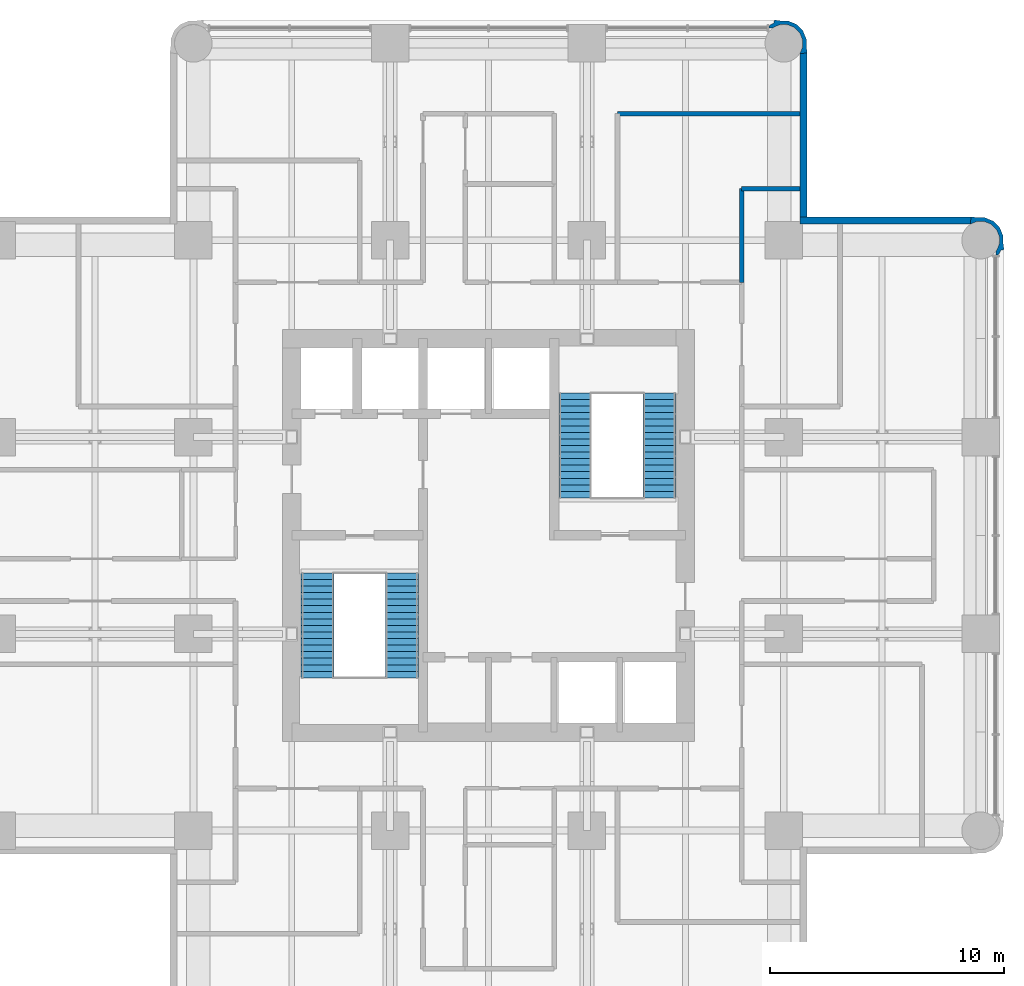
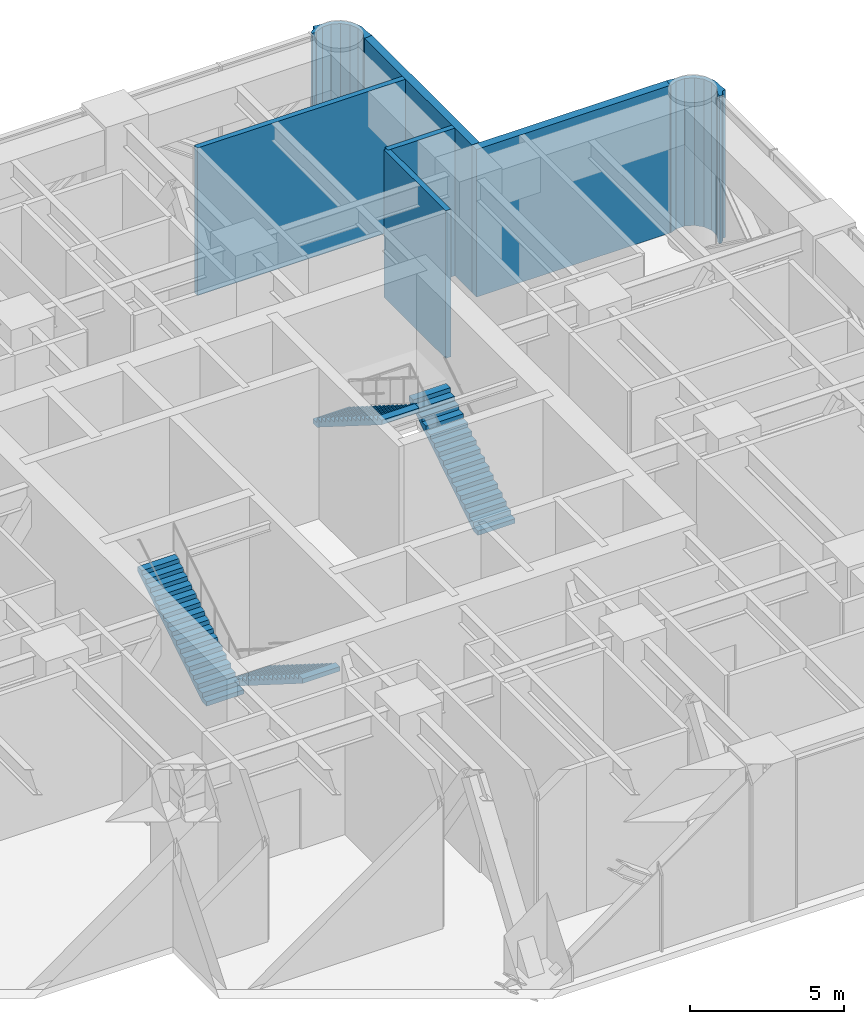
# One storey, part 10 of 12: 7 walls, 4 stair flights, 2 elements without a shape of their own.
"""IFC4 building model written with IfcOpenShell, lengths in metres."""

from ifc_helpers import new_model, si_unit, direction, frame, frame_2d, origin, place, context, subcontext, project, spatial, polyline, rectangle, outline, extrude, material, layer, layer_set, type_object, element, aggregate, save


model = new_model("IFC4")

# Units and contexts
model_context = context("Model", 3, precision=1e-05, world=origin(), true_north=direction((0.0, 1.0)))
body_context = subcontext(model_context, "Body", "Model", "MODEL_VIEW")
ifc_project = project(units=[si_unit("LENGTHUNIT", "METRE"), si_unit("AREAUNIT", "SQUARE_METRE"), si_unit("VOLUMEUNIT", "CUBIC_METRE"), si_unit("PLANEANGLEUNIT", "RADIAN"), si_unit("MASSUNIT", "GRAM", prefix="KILO")], contexts=[model_context])

# Site, building, storey
site_placement = place(None, origin())
site = spatial("IfcSite", under=ifc_project, at=site_placement, CompositionType="ELEMENT")
building_placement = place(site_placement, origin())
building = spatial("IfcBuilding", under=site, at=building_placement, Name="Torre Alcanfor", CompositionType="ELEMENT")
storey_placement = place(building_placement, frame((0.0, 0.0, 248.10009765625)))
storey = spatial("IfcBuildingStorey", under=building, at=storey_placement, Name="L65", CompositionType="ELEMENT", Elevation=248.10009765625)

# Walls
ifc_material_1 = material(Name="Limestone cladding", Category="masonry")
ifc_layer_1 = layer(ifc_material_1, 0.0400390625, Name="Facing")
ifc_material_2 = material(Name="Ventilated air cavity")
ifc_layer_2 = layer(ifc_material_2, 0.02001953125, ventilated=True, Name="Ventilated joint")
ifc_material_3 = material(Name="Mineral wool insulation", Category="insulation")
ifc_layer_3 = layer(ifc_material_3, 0.10009765625, Name="Insulation")
ifc_material_4 = material(Name="Concrete f'c 35 MPa", Category="concrete")
ifc_layer_4 = layer(ifc_material_4, 0.139892578125, Name="Backing")
ifc_layer_set_1 = layer_set([ifc_layer_1, ifc_layer_2, ifc_layer_3, ifc_layer_4], Name="External wall stone-clad 300")
wall_type_1 = type_object("IfcWallType", Name="External wall stone-clad 300", PredefinedType="SOLIDWALL", material=ifc_layer_set_1)
wall_1_placement = place(storey_placement, frame((50.0, 42.85009765625, 0.0), z_axis=(0.0, 0.0, 1.0), x_axis=(-1.0, 0.0, 0.0)))
element("IfcWall", 1, at=wall_1_placement, inside=storey, type_object=wall_type_1, Name="External wall L65 9", PredefinedType="SOLIDWALL", context=body_context, shape_type="SweptSolid", body=[
    extrude(rectangle(XDim=7.300048828125, YDim=0.300048828125, at=frame_2d((3.64990234375, 0.0))), origin(), (0.0, 0.0, 1.0), 5.849853515625),
])
wall_2_placement = place(storey_placement, frame((42.85009765625, 43.0, 0.0), z_axis=(0.0, 0.0, 1.0), x_axis=(0.0, 1.0, 0.0)))
element("IfcWall", 2, at=wall_2_placement, inside=storey, type_object=wall_type_1, Name="External wall L65 10", PredefinedType="SOLIDWALL", context=body_context, shape_type="SweptSolid", body=[
    extrude(rectangle(XDim=7.0, YDim=0.300048828125, at=frame_2d((3.5, 0.0))), origin(), (0.0, 0.0, 1.0), 5.849853515625),
])
ifc_material_5 = material(Name="Concrete block masonry, hollow blocks NMX-C-404 9 MPa", Category="masonry")
ifc_layer_5 = layer(ifc_material_5, 0.199951171875)
ifc_layer_set_2 = layer_set([ifc_layer_5], Name="Plant room wall 200 EI 60")
wall_type_2 = type_object("IfcWallType", Name="Plant room wall 200 EI 60", PredefinedType="PARTITIONING", material=ifc_layer_set_2)
wall_3_placement = place(storey_placement, frame((34.89990234375, 47.39990234375, 0.0), z_axis=(0.0, 0.0, 1.0), x_axis=(1.0, 0.0, 0.0)))
element("IfcWall", 3, at=wall_3_placement, inside=storey, type_object=wall_type_2, Name="Partition L65-N2 / L65-NH", PredefinedType="PARTITIONING", context=body_context, shape_type="SweptSolid", body=[
    extrude(rectangle(XDim=7.800048828125, YDim=0.199951171875, at=frame_2d((3.89990234375, 0.0))), origin(), (0.0, 0.0, 1.0), 5.849853515625),
])
wall_4_placement = place(storey_placement, frame((42.699951171875, 44.199951171875, 0.0), z_axis=(0.0, 0.0, 1.0), x_axis=(-1.0, 0.0, 0.0)))
element("IfcWall", 4, at=wall_4_placement, inside=storey, type_object=wall_type_2, Name="Partition L65-N2 / L65-E2", PredefinedType="PARTITIONING", context=body_context, shape_type="SweptSolid", body=[
    extrude(rectangle(XDim=2.5, YDim=0.199951171875, at=frame_2d((1.25, 0.0))), origin(), (0.0, 0.0, 1.0), 5.849853515625),
])
wall_5_placement = place(storey_placement, frame((40.199951171875, 44.199951171875, 0.0), z_axis=(0.0, 0.0, 1.0), x_axis=(0.0, -1.0, 0.0)))
element("IfcWall", 5, at=wall_5_placement, inside=storey, type_object=wall_type_2, Name="Partition L65-N2 / L65-E2", PredefinedType="PARTITIONING", context=body_context, shape_type="SweptSolid", body=[
    extrude(rectangle(XDim=4.0, YDim=0.199951171875, at=frame_2d((2.0, 0.0))), origin(), (0.0, 0.0, 1.0), 5.849853515625),
])
ifc_layer_6 = layer(ifc_material_1, 0.0400390625, Name="Facing")
ifc_layer_7 = layer(ifc_material_2, 0.02001953125, ventilated=True, Name="Ventilated joint")
ifc_layer_8 = layer(ifc_material_3, 0.10009765625, Name="Insulation")
ifc_layer_9 = layer(ifc_material_4, 0.139892578125, Name="Backing")
ifc_layer_set_3 = layer_set([ifc_layer_6, ifc_layer_7, ifc_layer_8, ifc_layer_9], Name="Rounded corner pier stone-clad 300")
wall_type_3 = type_object("IfcWallType", Name="Rounded corner pier stone-clad 300", PredefinedType="SOLIDWALL", material=ifc_layer_set_3)
wall_6_placement = place(storey_placement, frame((51.064595899, 41.423187819, 0.0), z_axis=(0.0, 0.0, 1.0), x_axis=(0.936905536785, 0.34958262992, 0.0)))
element("IfcWall", 6, at=wall_6_placement, inside=storey, type_object=wall_type_3, Name="Corner pier L65 18", PredefinedType="SOLIDWALL", context=body_context, shape_type="SweptSolid", body=[
    extrude(outline(polyline([(0.44488305639654047, 0.34699056961892705), (0.5452515067836634, 0.6159849327193055), (0.5315651014369507, 0.9976325147447593), (0.3729764454328175, 1.3450094464770523), (0.09357495487315731, 1.6053496117036845), (-0.17564814493053782, 1.7058034094125651), (-0.44619964308817617, 1.8494882970231459), (-0.5881468474657572, 1.582197154771742), (-0.5696191744971089, 1.5752840217093635), (-0.5583222971769474, 1.5692448040547435), (-0.2902233208505333, 1.5789154245669286), (0.008278076977692839, 1.4675371696730548), (0.24154622762044978, 1.2504686846781918), (0.3738092794775483, 0.9603403928311983), (0.3850200243927001, 0.6418956150741992), (0.27372711682058426, 0.3436229539492897), (0.05665863182572102, 0.11035480330653277), (0.01919728552010895, 0.09306273019770812), (-0.03252319146509215, -0.045551712012180806), (0.03930013337633544, -0.07235077104411669), (0.1514281303278984, -0.021160761827592675), (0.24450235018642186, 0.07883178693095441), (0.3759950707705037, 0.04853049724650195), (0.44488305639654047, 0.34699056961892705)])), origin(), (0.0, 0.0, 1.0), 5.849853515625),
])
wall_7_placement = place(storey_placement, frame((42.817059488, 50.073176205, 0.0), z_axis=(0.0, 0.0, 1.0), x_axis=(0.34958262992, 0.936905536785, 0.0)))
element("IfcWall", 7, at=wall_7_placement, inside=storey, type_object=wall_type_3, Name="Corner pier L65 19", PredefinedType="SOLIDWALL", context=body_context, shape_type="SweptSolid", body=[
    extrude(outline(polyline([(0.2659451318360529, -0.053294221175951784), (0.535168231639748, 0.047159576532928904), (0.8145697221994082, 0.307499741759561), (0.9731583782035413, 0.6548766734918541), (0.9868447835502543, 1.0365242555173078), (0.8864763331631313, 1.3055186186176864), (0.8175883475370944, 1.6039786909901115), (0.6860956269530125, 1.573677401305659), (0.593021407094489, 1.6736699500642063), (0.4808934101429262, 1.72485995928073), (0.4090700853014986, 1.698060900248794), (0.4607905622866997, 1.5594464580389054), (0.4982519085923118, 1.5421543849300807), (0.7153203935871749, 1.3088862342873238), (0.8266133011592909, 1.0106135731624142), (0.815402556244139, 0.6921687954054152), (0.6831395043870405, 0.40204050355842175), (0.44987135374428355, 0.18497201856355855), (0.1513699559160574, 0.07359376366968487), (-0.11672902041035668, 0.08326438418186989), (-0.1280258977305181, 0.07722516652724996), (-0.1465535706991666, 0.0703120334648716), (-0.004606366321585481, -0.19697910878653258), (0.2659451318360529, -0.053294221175951784)])), origin(), (0.0, 0.0, 1.0), 5.849853515625),
])

# Stair, stair flights
ifc_material_6 = material(Name="Concrete f'c 35 MPa", Category="concrete")
stair_type_1 = type_object("IfcStairType", Name="Exit stair S1 1400 wide", PredefinedType="HALF_TURN_STAIR", material=ifc_material_6)
stair_1_placement = place(storey_placement, origin())
stair_1 = element("IfcStair", 8, at=stair_1_placement, inside=storey, type_object=stair_type_1, Name="Stair S1 L65 to L66", PredefinedType="HALF_TURN_STAIR")
ifc_material_7 = material(Name="Concrete f'c 35 MPa", Category="concrete")
stair_flight_type = type_object("IfcStairFlightType", Name="Stair flight 1400", PredefinedType="STRAIGHT", material=ifc_material_7)
stair_flight_1_placement = place(storey_placement, frame((25.699951171875, 27.800048828125, 0.0), z_axis=(0.0, 0.0, 1.0), x_axis=(0.0, -1.0, 0.0)))
stair_flight_1 = element("IfcStairFlight", 9, at=stair_flight_1_placement, type_object=stair_flight_type, Name="S1 flight 1", NumberOfRisers=17, NumberOfTreads=16, PredefinedType="STRAIGHT", RiserHeight=0.176470588, TreadLength=0.28, context=body_context, shape_type="SweptSolid", body=[
    extrude(outline(polyline([(0.0, 0.0), (0.0, 0.176513671875), (0.280029296875, 0.176513671875), (0.280029296875, 0.35302734375), (0.56005859375, 0.35302734375), (0.56005859375, 0.529296875), (0.840087890625, 0.529296875), (0.840087890625, 0.705810546875), (1.1201171875, 0.705810546875), (1.1201171875, 0.88232421875), (1.39990234375, 0.88232421875), (1.39990234375, 1.058837890625), (1.679931640625, 1.058837890625), (1.679931640625, 1.2353515625), (1.9599609375, 1.2353515625), (1.9599609375, 1.411865234375), (2.239990234375, 1.411865234375), (2.239990234375, 1.588134765625), (2.52001953125, 1.588134765625), (2.52001953125, 1.7646484375), (2.800048828125, 1.7646484375), (2.800048828125, 1.941162109375), (3.080078125, 1.941162109375), (3.080078125, 2.11767578125), (3.360107421875, 2.11767578125), (3.360107421875, 2.294189453125), (3.639892578125, 2.294189453125), (3.639892578125, 2.470703125), (3.919921875, 2.470703125), (3.919921875, 2.64697265625), (4.199951171875, 2.64697265625), (4.199951171875, 2.823486328125), (4.47998046875, 2.823486328125), (4.47998046875, 3.0), (4.47998046875, 2.646240234375), (0.28125, 0.0), (0.0, 0.0)])), frame((0.0, 0.699951171875, 0.0), z_axis=(0.0, -1.0, 0.0), x_axis=(1.0, 0.0, 0.0)), (0.0, 0.0, 1.0), 1.39990234375),
])
stair_flight_2_placement = place(storey_placement, frame((22.10009765625, 23.320068359375, 3.0), z_axis=(0.0, 0.0, 1.0), x_axis=(0.0, 1.0, 0.0)))
stair_flight_2 = element("IfcStairFlight", 10, at=stair_flight_2_placement, type_object=stair_flight_type, Name="S1 flight 2", NumberOfRisers=17, NumberOfTreads=16, PredefinedType="STRAIGHT", RiserHeight=0.176470588, TreadLength=0.28, context=body_context, shape_type="SweptSolid", body=[
    extrude(outline(polyline([(0.0, 0.0), (0.0, 0.176513671875), (0.280029296875, 0.176513671875), (0.280029296875, 0.35302734375), (0.56005859375, 0.35302734375), (0.56005859375, 0.529296875), (0.840087890625, 0.529296875), (0.840087890625, 0.705810546875), (1.1201171875, 0.705810546875), (1.1201171875, 0.88232421875), (1.39990234375, 0.88232421875), (1.39990234375, 1.058837890625), (1.679931640625, 1.058837890625), (1.679931640625, 1.2353515625), (1.9599609375, 1.2353515625), (1.9599609375, 1.411865234375), (2.239990234375, 1.411865234375), (2.239990234375, 1.588134765625), (2.52001953125, 1.588134765625), (2.52001953125, 1.7646484375), (2.800048828125, 1.7646484375), (2.800048828125, 1.941162109375), (3.080078125, 1.941162109375), (3.080078125, 2.11767578125), (3.360107421875, 2.11767578125), (3.360107421875, 2.294189453125), (3.639892578125, 2.294189453125), (3.639892578125, 2.470703125), (3.919921875, 2.470703125), (3.919921875, 2.64697265625), (4.199951171875, 2.64697265625), (4.199951171875, 2.823486328125), (4.47998046875, 2.823486328125), (4.47998046875, 3.0), (4.47998046875, 2.646240234375), (0.28125, 0.0), (0.0, 0.0)])), frame((0.0, 0.699951171875, 0.0), z_axis=(0.0, -1.0, 0.0), x_axis=(1.0, 0.0, 0.0)), (0.0, 0.0, 1.0), 1.39990234375),
])
aggregate(stair_1, [stair_flight_1, stair_flight_2])

ifc_material_8 = material(Name="Concrete f'c 35 MPa", Category="concrete")
stair_type_2 = type_object("IfcStairType", Name="Exit stair S2 1400 wide", PredefinedType="HALF_TURN_STAIR", material=ifc_material_8)
stair_2_placement = place(storey_placement, origin())
stair_2 = element("IfcStair", 11, at=stair_2_placement, inside=storey, type_object=stair_type_2, Name="Stair S2 L65 to L66", PredefinedType="HALF_TURN_STAIR")
stair_flight_3_placement = place(storey_placement, frame((36.699951171875, 31.0, 0.0), z_axis=(0.0, 0.0, 1.0), x_axis=(0.0, 1.0, 0.0)))
stair_flight_3 = element("IfcStairFlight", 12, at=stair_flight_3_placement, type_object=stair_flight_type, Name="S2 flight 1", NumberOfRisers=17, NumberOfTreads=16, PredefinedType="STRAIGHT", RiserHeight=0.176470588, TreadLength=0.28, context=body_context, shape_type="SweptSolid", body=[
    extrude(outline(polyline([(0.0, 0.0), (0.0, 0.176513671875), (0.280029296875, 0.176513671875), (0.280029296875, 0.35302734375), (0.56005859375, 0.35302734375), (0.56005859375, 0.529296875), (0.840087890625, 0.529296875), (0.840087890625, 0.705810546875), (1.1201171875, 0.705810546875), (1.1201171875, 0.88232421875), (1.39990234375, 0.88232421875), (1.39990234375, 1.058837890625), (1.679931640625, 1.058837890625), (1.679931640625, 1.2353515625), (1.9599609375, 1.2353515625), (1.9599609375, 1.411865234375), (2.239990234375, 1.411865234375), (2.239990234375, 1.588134765625), (2.52001953125, 1.588134765625), (2.52001953125, 1.7646484375), (2.800048828125, 1.7646484375), (2.800048828125, 1.941162109375), (3.080078125, 1.941162109375), (3.080078125, 2.11767578125), (3.360107421875, 2.11767578125), (3.360107421875, 2.294189453125), (3.639892578125, 2.294189453125), (3.639892578125, 2.470703125), (3.919921875, 2.470703125), (3.919921875, 2.64697265625), (4.199951171875, 2.64697265625), (4.199951171875, 2.823486328125), (4.47998046875, 2.823486328125), (4.47998046875, 3.0), (4.47998046875, 2.646240234375), (0.28125, 0.0), (0.0, 0.0)])), frame((0.0, 0.699951171875, 0.0), z_axis=(0.0, -1.0, 0.0), x_axis=(1.0, 0.0, 0.0)), (0.0, 0.0, 1.0), 1.39990234375),
])
stair_flight_4_placement = place(storey_placement, frame((33.10009765625, 35.47998046875, 3.0), z_axis=(0.0, 0.0, 1.0), x_axis=(0.0, -1.0, 0.0)))
stair_flight_4 = element("IfcStairFlight", 13, at=stair_flight_4_placement, type_object=stair_flight_type, Name="S2 flight 2", NumberOfRisers=17, NumberOfTreads=16, PredefinedType="STRAIGHT", RiserHeight=0.176470588, TreadLength=0.28, context=body_context, shape_type="SweptSolid", body=[
    extrude(outline(polyline([(0.0, 0.0), (0.0, 0.176513671875), (0.280029296875, 0.176513671875), (0.280029296875, 0.35302734375), (0.56005859375, 0.35302734375), (0.56005859375, 0.529296875), (0.840087890625, 0.529296875), (0.840087890625, 0.705810546875), (1.1201171875, 0.705810546875), (1.1201171875, 0.88232421875), (1.39990234375, 0.88232421875), (1.39990234375, 1.058837890625), (1.679931640625, 1.058837890625), (1.679931640625, 1.2353515625), (1.9599609375, 1.2353515625), (1.9599609375, 1.411865234375), (2.239990234375, 1.411865234375), (2.239990234375, 1.588134765625), (2.52001953125, 1.588134765625), (2.52001953125, 1.7646484375), (2.800048828125, 1.7646484375), (2.800048828125, 1.941162109375), (3.080078125, 1.941162109375), (3.080078125, 2.11767578125), (3.360107421875, 2.11767578125), (3.360107421875, 2.294189453125), (3.639892578125, 2.294189453125), (3.639892578125, 2.470703125), (3.919921875, 2.470703125), (3.919921875, 2.64697265625), (4.199951171875, 2.64697265625), (4.199951171875, 2.823486328125), (4.47998046875, 2.823486328125), (4.47998046875, 3.0), (4.47998046875, 2.646240234375), (0.28125, 0.0), (0.0, 0.0)])), frame((0.0, 0.699951171875, 0.0), z_axis=(0.0, -1.0, 0.0), x_axis=(1.0, 0.0, 0.0)), (0.0, 0.0, 1.0), 1.39990234375),
])
aggregate(stair_2, [stair_flight_3, stair_flight_4])

save(model, "model.ifc")
